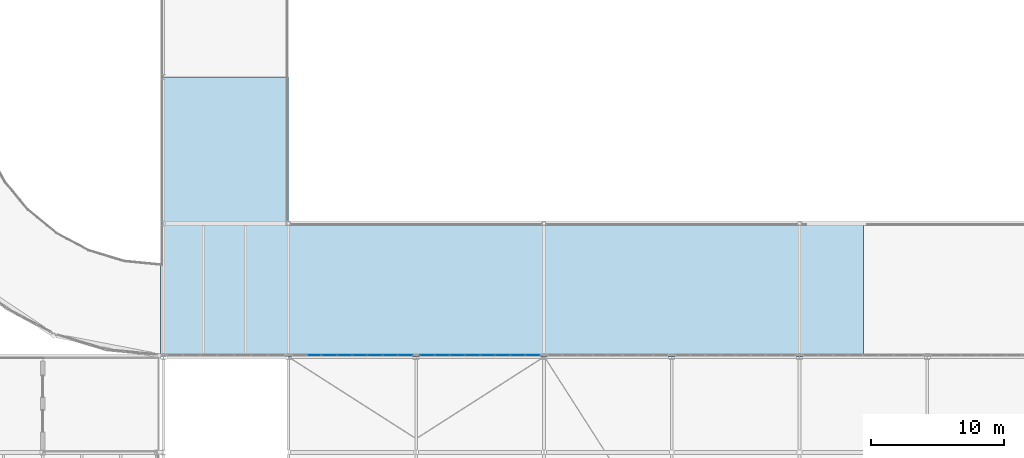
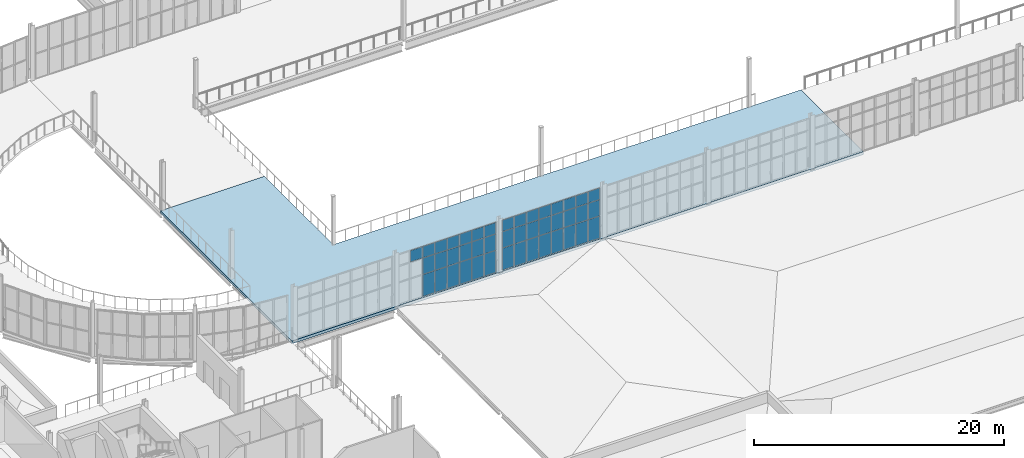
# One storey, part 75 of 112: 43 plates, 1 slab, 2 elements without a shape of their own.
"""IFC4 building model written with IfcOpenShell, lengths in metres."""

from ifc_helpers import new_model, si_unit, direction, frame, origin, origin_2d, place, context, subcontext, project, spatial, polyline, rectangle, outline, extrude, material, layer, layer_set, type_object, element, aggregate, save


model = new_model("IFC4")

# Units and contexts
model_context = context("Model", 3, precision=1e-05, world=origin(), true_north=direction((0.0, 1.0)))
body_context = subcontext(model_context, "Body", "Model", "MODEL_VIEW")
ifc_project = project(units=[si_unit("LENGTHUNIT", "METRE"), si_unit("AREAUNIT", "SQUARE_METRE"), si_unit("VOLUMEUNIT", "CUBIC_METRE"), si_unit("PLANEANGLEUNIT", "RADIAN"), si_unit("MASSUNIT", "GRAM", prefix="KILO")], contexts=[model_context])

# Site, building, storey
site_placement = place(None, origin())
site = spatial("IfcSite", under=ifc_project, at=site_placement, CompositionType="ELEMENT")
building_placement = place(site_placement, origin())
building = spatial("IfcBuilding", under=site, at=building_placement, Name="Yeouljin Market Hall", CompositionType="ELEMENT")
storey_placement = place(building_placement, frame((0.0, 0.0, 6.0)))
storey = spatial("IfcBuildingStorey", under=building, at=storey_placement, Name="L01", CompositionType="ELEMENT", Elevation=6.0)

# Curtain wall, plates
ifc_material_1 = material(Name="Thermally Broken Aluminium", Category="aluminium")
ifc_layer_1 = layer(ifc_material_1, 0.159912109375)
ifc_layer_set_1 = layer_set([ifc_layer_1], Name="Thermally Broken Aluminium")
curtain_wall_type = type_object("IfcCurtainWallType", Name="CW_HallClerestory_System", PredefinedType="USERDEFINED", material=ifc_layer_set_1)
curtain_wall_1_placement = place(storey_placement, origin())
curtain_wall_1 = element("IfcCurtainWall", 1, at=curtain_wall_1_placement, inside=storey, type_object=curtain_wall_type, Name="Curtain wall CW-V1S-L01-02", ObjectType="CURTAIN WALL", PredefinedType="USERDEFINED")
ifc_material_2 = material(Name="Low-E Insulated Glass", Category="glass")
ifc_layer_2 = layer(ifc_material_2, 0.028076171875)
ifc_layer_set_2 = layer_set([ifc_layer_2], Name="Low-E Insulated Glass")
plate_type = type_object("IfcPlateType", Name="CWPanel_LowE_28", PredefinedType="CURTAIN_PANEL", material=ifc_layer_set_2)
plate_1_placement = place(storey_placement, frame((53.769287109375, 36.10009765625, 0.048095703125), z_axis=(0.0, 0.0, 1.0), x_axis=(-1.0, 0.0, 0.0)))
plate_1 = element("IfcPlate", 2, at=plate_1_placement, type_object=plate_type, Name="CW-02 panel 1.1", PredefinedType="CURTAIN_PANEL", context=body_context, shape_type="SweptSolid", body=[
    extrude(rectangle(XDim=1.0654296875, YDim=0.028076171875, at=origin_2d()), origin(), (0.0, 0.0, 1.0), 2.1279296875),
])
plate_2_placement = place(storey_placement, frame((53.769287109375, 36.10009765625, 2.22412109375), z_axis=(0.0, 0.0, 1.0), x_axis=(-1.0, 0.0, 0.0)))
plate_2 = element("IfcPlate", 3, at=plate_2_placement, type_object=plate_type, Name="CW-02 panel 1.2", PredefinedType="CURTAIN_PANEL", context=body_context, shape_type="SweptSolid", body=[
    extrude(rectangle(XDim=1.0654296875, YDim=0.028076171875, at=origin_2d()), origin(), (0.0, 0.0, 1.0), 1.552001953125),
])
plate_3_placement = place(storey_placement, frame((53.769287109375, 36.10009765625, 3.82421875), z_axis=(0.0, 0.0, 1.0), x_axis=(-1.0, 0.0, 0.0)))
plate_3 = element("IfcPlate", 4, at=plate_3_placement, type_object=plate_type, Name="CW-02 panel 1.3", PredefinedType="CURTAIN_PANEL", context=body_context, shape_type="SweptSolid", body=[
    extrude(rectangle(XDim=1.0654296875, YDim=0.028076171875, at=origin_2d()), origin(), (0.0, 0.0, 1.0), 1.097900390625),
])
plate_4_placement = place(storey_placement, frame((52.643798828125, 36.10009765625, 0.048095703125), z_axis=(0.0, 0.0, 1.0), x_axis=(-1.0, 0.0, 0.0)))
plate_4 = element("IfcPlate", 5, at=plate_4_placement, type_object=plate_type, Name="CW-02 panel 2.1", PredefinedType="CURTAIN_PANEL", context=body_context, shape_type="SweptSolid", body=[
    extrude(rectangle(XDim=1.089599609375, YDim=0.028076171875, at=origin_2d()), origin(), (0.0, 0.0, 1.0), 2.1279296875),
])
plate_5_placement = place(storey_placement, frame((52.643798828125, 36.10009765625, 2.22412109375), z_axis=(0.0, 0.0, 1.0), x_axis=(-1.0, 0.0, 0.0)))
plate_5 = element("IfcPlate", 6, at=plate_5_placement, type_object=plate_type, Name="CW-02 panel 2.2", PredefinedType="CURTAIN_PANEL", context=body_context, shape_type="SweptSolid", body=[
    extrude(rectangle(XDim=1.089599609375, YDim=0.028076171875, at=origin_2d()), origin(), (0.0, 0.0, 1.0), 1.552001953125),
])
plate_6_placement = place(storey_placement, frame((52.643798828125, 36.10009765625, 3.82421875), z_axis=(0.0, 0.0, 1.0), x_axis=(-1.0, 0.0, 0.0)))
plate_6 = element("IfcPlate", 7, at=plate_6_placement, type_object=plate_type, Name="CW-02 panel 2.3", PredefinedType="CURTAIN_PANEL", context=body_context, shape_type="SweptSolid", body=[
    extrude(rectangle(XDim=1.089599609375, YDim=0.028076171875, at=origin_2d()), origin(), (0.0, 0.0, 1.0), 1.097900390625),
])
plate_7_placement = place(storey_placement, frame((51.50634765625, 36.10009765625, 0.048095703125), z_axis=(0.0, 0.0, 1.0), x_axis=(-1.0, 0.0, 0.0)))
plate_7 = element("IfcPlate", 8, at=plate_7_placement, type_object=plate_type, Name="CW-02 panel 3.1", PredefinedType="CURTAIN_PANEL", context=body_context, shape_type="SweptSolid", body=[
    extrude(rectangle(XDim=1.089599609375, YDim=0.028076171875, at=origin_2d()), origin(), (0.0, 0.0, 1.0), 2.1279296875),
])
plate_8_placement = place(storey_placement, frame((51.50634765625, 36.10009765625, 2.22412109375), z_axis=(0.0, 0.0, 1.0), x_axis=(-1.0, 0.0, 0.0)))
plate_8 = element("IfcPlate", 9, at=plate_8_placement, type_object=plate_type, Name="CW-02 panel 3.2", PredefinedType="CURTAIN_PANEL", context=body_context, shape_type="SweptSolid", body=[
    extrude(rectangle(XDim=1.089599609375, YDim=0.028076171875, at=origin_2d()), origin(), (0.0, 0.0, 1.0), 1.552001953125),
])
plate_9_placement = place(storey_placement, frame((51.50634765625, 36.10009765625, 3.82421875), z_axis=(0.0, 0.0, 1.0), x_axis=(-1.0, 0.0, 0.0)))
plate_9 = element("IfcPlate", 10, at=plate_9_placement, type_object=plate_type, Name="CW-02 panel 3.3", PredefinedType="CURTAIN_PANEL", context=body_context, shape_type="SweptSolid", body=[
    extrude(rectangle(XDim=1.089599609375, YDim=0.028076171875, at=origin_2d()), origin(), (0.0, 0.0, 1.0), 1.097900390625),
])
plate_10_placement = place(storey_placement, frame((50.36865234375, 36.10009765625, 0.048095703125), z_axis=(0.0, 0.0, 1.0), x_axis=(-1.0, 0.0, 0.0)))
plate_10 = element("IfcPlate", 11, at=plate_10_placement, type_object=plate_type, Name="CW-02 panel 4.1", PredefinedType="CURTAIN_PANEL", context=body_context, shape_type="SweptSolid", body=[
    extrude(rectangle(XDim=1.089599609375, YDim=0.028076171875, at=origin_2d()), origin(), (0.0, 0.0, 1.0), 2.1279296875),
])
plate_11_placement = place(storey_placement, frame((50.36865234375, 36.10009765625, 2.22412109375), z_axis=(0.0, 0.0, 1.0), x_axis=(-1.0, 0.0, 0.0)))
plate_11 = element("IfcPlate", 12, at=plate_11_placement, type_object=plate_type, Name="CW-02 panel 4.2", PredefinedType="CURTAIN_PANEL", context=body_context, shape_type="SweptSolid", body=[
    extrude(rectangle(XDim=1.089599609375, YDim=0.028076171875, at=origin_2d()), origin(), (0.0, 0.0, 1.0), 1.552001953125),
])
plate_12_placement = place(storey_placement, frame((50.36865234375, 36.10009765625, 3.82421875), z_axis=(0.0, 0.0, 1.0), x_axis=(-1.0, 0.0, 0.0)))
plate_12 = element("IfcPlate", 13, at=plate_12_placement, type_object=plate_type, Name="CW-02 panel 4.3", PredefinedType="CURTAIN_PANEL", context=body_context, shape_type="SweptSolid", body=[
    extrude(rectangle(XDim=1.089599609375, YDim=0.028076171875, at=origin_2d()), origin(), (0.0, 0.0, 1.0), 1.097900390625),
])
plate_13_placement = place(storey_placement, frame((49.231201171875, 36.10009765625, 0.048095703125), z_axis=(0.0, 0.0, 1.0), x_axis=(-1.0, 0.0, 0.0)))
plate_13 = element("IfcPlate", 14, at=plate_13_placement, type_object=plate_type, Name="CW-02 panel 5.1", PredefinedType="CURTAIN_PANEL", context=body_context, shape_type="SweptSolid", body=[
    extrude(rectangle(XDim=1.089599609375, YDim=0.028076171875, at=origin_2d()), origin(), (0.0, 0.0, 1.0), 2.1279296875),
])
plate_14_placement = place(storey_placement, frame((49.231201171875, 36.10009765625, 2.22412109375), z_axis=(0.0, 0.0, 1.0), x_axis=(-1.0, 0.0, 0.0)))
plate_14 = element("IfcPlate", 15, at=plate_14_placement, type_object=plate_type, Name="CW-02 panel 5.2", PredefinedType="CURTAIN_PANEL", context=body_context, shape_type="SweptSolid", body=[
    extrude(rectangle(XDim=1.089599609375, YDim=0.028076171875, at=origin_2d()), origin(), (0.0, 0.0, 1.0), 1.552001953125),
])
plate_15_placement = place(storey_placement, frame((49.231201171875, 36.10009765625, 3.82421875), z_axis=(0.0, 0.0, 1.0), x_axis=(-1.0, 0.0, 0.0)))
plate_15 = element("IfcPlate", 16, at=plate_15_placement, type_object=plate_type, Name="CW-02 panel 5.3", PredefinedType="CURTAIN_PANEL", context=body_context, shape_type="SweptSolid", body=[
    extrude(rectangle(XDim=1.089599609375, YDim=0.028076171875, at=origin_2d()), origin(), (0.0, 0.0, 1.0), 1.097900390625),
])
plate_16_placement = place(storey_placement, frame((48.09375, 36.10009765625, 0.048095703125), z_axis=(0.0, 0.0, 1.0), x_axis=(-1.0, 0.0, 0.0)))
plate_16 = element("IfcPlate", 17, at=plate_16_placement, type_object=plate_type, Name="CW-02 panel 6.1", PredefinedType="CURTAIN_PANEL", context=body_context, shape_type="SweptSolid", body=[
    extrude(rectangle(XDim=1.089599609375, YDim=0.028076171875, at=origin_2d()), origin(), (0.0, 0.0, 1.0), 2.1279296875),
])
plate_17_placement = place(storey_placement, frame((48.09375, 36.10009765625, 2.22412109375), z_axis=(0.0, 0.0, 1.0), x_axis=(-1.0, 0.0, 0.0)))
plate_17 = element("IfcPlate", 18, at=plate_17_placement, type_object=plate_type, Name="CW-02 panel 6.2", PredefinedType="CURTAIN_PANEL", context=body_context, shape_type="SweptSolid", body=[
    extrude(rectangle(XDim=1.089599609375, YDim=0.028076171875, at=origin_2d()), origin(), (0.0, 0.0, 1.0), 1.552001953125),
])
plate_18_placement = place(storey_placement, frame((48.09375, 36.10009765625, 3.82421875), z_axis=(0.0, 0.0, 1.0), x_axis=(-1.0, 0.0, 0.0)))
plate_18 = element("IfcPlate", 19, at=plate_18_placement, type_object=plate_type, Name="CW-02 panel 6.3", PredefinedType="CURTAIN_PANEL", context=body_context, shape_type="SweptSolid", body=[
    extrude(rectangle(XDim=1.089599609375, YDim=0.028076171875, at=origin_2d()), origin(), (0.0, 0.0, 1.0), 1.097900390625),
])
plate_19_placement = place(storey_placement, frame((46.956298828125, 36.10009765625, 3.82421875), z_axis=(0.0, 0.0, 1.0), x_axis=(-1.0, 0.0, 0.0)))
plate_19 = element("IfcPlate", 20, at=plate_19_placement, type_object=plate_type, Name="CW-02 panel 7.3", PredefinedType="CURTAIN_PANEL", context=body_context, shape_type="SweptSolid", body=[
    extrude(rectangle(XDim=1.089599609375, YDim=0.028076171875, at=origin_2d()), origin(), (0.0, 0.0, 1.0), 1.097900390625),
])
aggregate(curtain_wall_1, [plate_1, plate_2, plate_3, plate_4, plate_5, plate_6, plate_7, plate_8, plate_9, plate_10, plate_11, plate_12, plate_13, plate_14, plate_15, plate_16, plate_17, plate_18, plate_19])

curtain_wall_2_placement = place(storey_placement, origin())
curtain_wall_2 = element("IfcCurtainWall", 21, at=curtain_wall_2_placement, inside=storey, type_object=curtain_wall_type, Name="Curtain wall CW-V1S-L01-03", ObjectType="CURTAIN WALL", PredefinedType="USERDEFINED")
plate_20_placement = place(storey_placement, frame((63.369140625, 36.10009765625, 0.048095703125), z_axis=(0.0, 0.0, 1.0), x_axis=(-1.0, 0.0, 0.0)))
plate_20 = element("IfcPlate", 22, at=plate_20_placement, type_object=plate_type, Name="CW-02 panel 1.1", PredefinedType="CURTAIN_PANEL", context=body_context, shape_type="SweptSolid", body=[
    extrude(rectangle(XDim=1.0654296875, YDim=0.028076171875, at=origin_2d()), origin(), (0.0, 0.0, 1.0), 2.1279296875),
])
plate_21_placement = place(storey_placement, frame((63.369140625, 36.10009765625, 2.22412109375), z_axis=(0.0, 0.0, 1.0), x_axis=(-1.0, 0.0, 0.0)))
plate_21 = element("IfcPlate", 23, at=plate_21_placement, type_object=plate_type, Name="CW-02 panel 1.2", PredefinedType="CURTAIN_PANEL", context=body_context, shape_type="SweptSolid", body=[
    extrude(rectangle(XDim=1.0654296875, YDim=0.028076171875, at=origin_2d()), origin(), (0.0, 0.0, 1.0), 1.552001953125),
])
plate_22_placement = place(storey_placement, frame((63.369140625, 36.10009765625, 3.82421875), z_axis=(0.0, 0.0, 1.0), x_axis=(-1.0, 0.0, 0.0)))
plate_22 = element("IfcPlate", 24, at=plate_22_placement, type_object=plate_type, Name="CW-02 panel 1.3", PredefinedType="CURTAIN_PANEL", context=body_context, shape_type="SweptSolid", body=[
    extrude(rectangle(XDim=1.0654296875, YDim=0.028076171875, at=origin_2d()), origin(), (0.0, 0.0, 1.0), 1.097900390625),
])
plate_23_placement = place(storey_placement, frame((62.24365234375, 36.10009765625, 0.048095703125), z_axis=(0.0, 0.0, 1.0), x_axis=(-1.0, 0.0, 0.0)))
plate_23 = element("IfcPlate", 25, at=plate_23_placement, type_object=plate_type, Name="CW-02 panel 2.1", PredefinedType="CURTAIN_PANEL", context=body_context, shape_type="SweptSolid", body=[
    extrude(rectangle(XDim=1.089599609375, YDim=0.028076171875, at=origin_2d()), origin(), (0.0, 0.0, 1.0), 2.1279296875),
])
plate_24_placement = place(storey_placement, frame((62.24365234375, 36.10009765625, 2.22412109375), z_axis=(0.0, 0.0, 1.0), x_axis=(-1.0, 0.0, 0.0)))
plate_24 = element("IfcPlate", 26, at=plate_24_placement, type_object=plate_type, Name="CW-02 panel 2.2", PredefinedType="CURTAIN_PANEL", context=body_context, shape_type="SweptSolid", body=[
    extrude(rectangle(XDim=1.089599609375, YDim=0.028076171875, at=origin_2d()), origin(), (0.0, 0.0, 1.0), 1.552001953125),
])
plate_25_placement = place(storey_placement, frame((62.24365234375, 36.10009765625, 3.82421875), z_axis=(0.0, 0.0, 1.0), x_axis=(-1.0, 0.0, 0.0)))
plate_25 = element("IfcPlate", 27, at=plate_25_placement, type_object=plate_type, Name="CW-02 panel 2.3", PredefinedType="CURTAIN_PANEL", context=body_context, shape_type="SweptSolid", body=[
    extrude(rectangle(XDim=1.089599609375, YDim=0.028076171875, at=origin_2d()), origin(), (0.0, 0.0, 1.0), 1.097900390625),
])
plate_26_placement = place(storey_placement, frame((61.106201171875, 36.10009765625, 0.048095703125), z_axis=(0.0, 0.0, 1.0), x_axis=(-1.0, 0.0, 0.0)))
plate_26 = element("IfcPlate", 28, at=plate_26_placement, type_object=plate_type, Name="CW-02 panel 3.1", PredefinedType="CURTAIN_PANEL", context=body_context, shape_type="SweptSolid", body=[
    extrude(rectangle(XDim=1.089599609375, YDim=0.028076171875, at=origin_2d()), origin(), (0.0, 0.0, 1.0), 2.1279296875),
])
plate_27_placement = place(storey_placement, frame((61.106201171875, 36.10009765625, 2.22412109375), z_axis=(0.0, 0.0, 1.0), x_axis=(-1.0, 0.0, 0.0)))
plate_27 = element("IfcPlate", 29, at=plate_27_placement, type_object=plate_type, Name="CW-02 panel 3.2", PredefinedType="CURTAIN_PANEL", context=body_context, shape_type="SweptSolid", body=[
    extrude(rectangle(XDim=1.089599609375, YDim=0.028076171875, at=origin_2d()), origin(), (0.0, 0.0, 1.0), 1.552001953125),
])
plate_28_placement = place(storey_placement, frame((61.106201171875, 36.10009765625, 3.82421875), z_axis=(0.0, 0.0, 1.0), x_axis=(-1.0, 0.0, 0.0)))
plate_28 = element("IfcPlate", 30, at=plate_28_placement, type_object=plate_type, Name="CW-02 panel 3.3", PredefinedType="CURTAIN_PANEL", context=body_context, shape_type="SweptSolid", body=[
    extrude(rectangle(XDim=1.089599609375, YDim=0.028076171875, at=origin_2d()), origin(), (0.0, 0.0, 1.0), 1.097900390625),
])
plate_29_placement = place(storey_placement, frame((59.96875, 36.10009765625, 0.048095703125), z_axis=(0.0, 0.0, 1.0), x_axis=(-1.0, 0.0, 0.0)))
plate_29 = element("IfcPlate", 31, at=plate_29_placement, type_object=plate_type, Name="CW-02 panel 4.1", PredefinedType="CURTAIN_PANEL", context=body_context, shape_type="SweptSolid", body=[
    extrude(rectangle(XDim=1.089599609375, YDim=0.028076171875, at=origin_2d()), origin(), (0.0, 0.0, 1.0), 2.1279296875),
])
plate_30_placement = place(storey_placement, frame((59.96875, 36.10009765625, 2.22412109375), z_axis=(0.0, 0.0, 1.0), x_axis=(-1.0, 0.0, 0.0)))
plate_30 = element("IfcPlate", 32, at=plate_30_placement, type_object=plate_type, Name="CW-02 panel 4.2", PredefinedType="CURTAIN_PANEL", context=body_context, shape_type="SweptSolid", body=[
    extrude(rectangle(XDim=1.089599609375, YDim=0.028076171875, at=origin_2d()), origin(), (0.0, 0.0, 1.0), 1.552001953125),
])
plate_31_placement = place(storey_placement, frame((59.96875, 36.10009765625, 3.82421875), z_axis=(0.0, 0.0, 1.0), x_axis=(-1.0, 0.0, 0.0)))
plate_31 = element("IfcPlate", 33, at=plate_31_placement, type_object=plate_type, Name="CW-02 panel 4.3", PredefinedType="CURTAIN_PANEL", context=body_context, shape_type="SweptSolid", body=[
    extrude(rectangle(XDim=1.089599609375, YDim=0.028076171875, at=origin_2d()), origin(), (0.0, 0.0, 1.0), 1.097900390625),
])
plate_32_placement = place(storey_placement, frame((58.831298828125, 36.10009765625, 0.048095703125), z_axis=(0.0, 0.0, 1.0), x_axis=(-1.0, 0.0, 0.0)))
plate_32 = element("IfcPlate", 34, at=plate_32_placement, type_object=plate_type, Name="CW-02 panel 5.1", PredefinedType="CURTAIN_PANEL", context=body_context, shape_type="SweptSolid", body=[
    extrude(rectangle(XDim=1.089599609375, YDim=0.028076171875, at=origin_2d()), origin(), (0.0, 0.0, 1.0), 2.1279296875),
])
plate_33_placement = place(storey_placement, frame((58.831298828125, 36.10009765625, 2.22412109375), z_axis=(0.0, 0.0, 1.0), x_axis=(-1.0, 0.0, 0.0)))
plate_33 = element("IfcPlate", 35, at=plate_33_placement, type_object=plate_type, Name="CW-02 panel 5.2", PredefinedType="CURTAIN_PANEL", context=body_context, shape_type="SweptSolid", body=[
    extrude(rectangle(XDim=1.089599609375, YDim=0.028076171875, at=origin_2d()), origin(), (0.0, 0.0, 1.0), 1.552001953125),
])
plate_34_placement = place(storey_placement, frame((58.831298828125, 36.10009765625, 3.82421875), z_axis=(0.0, 0.0, 1.0), x_axis=(-1.0, 0.0, 0.0)))
plate_34 = element("IfcPlate", 36, at=plate_34_placement, type_object=plate_type, Name="CW-02 panel 5.3", PredefinedType="CURTAIN_PANEL", context=body_context, shape_type="SweptSolid", body=[
    extrude(rectangle(XDim=1.089599609375, YDim=0.028076171875, at=origin_2d()), origin(), (0.0, 0.0, 1.0), 1.097900390625),
])
plate_35_placement = place(storey_placement, frame((57.69384765625, 36.10009765625, 0.048095703125), z_axis=(0.0, 0.0, 1.0), x_axis=(-1.0, 0.0, 0.0)))
plate_35 = element("IfcPlate", 37, at=plate_35_placement, type_object=plate_type, Name="CW-02 panel 6.1", PredefinedType="CURTAIN_PANEL", context=body_context, shape_type="SweptSolid", body=[
    extrude(rectangle(XDim=1.089599609375, YDim=0.028076171875, at=origin_2d()), origin(), (0.0, 0.0, 1.0), 2.1279296875),
])
plate_36_placement = place(storey_placement, frame((57.69384765625, 36.10009765625, 2.22412109375), z_axis=(0.0, 0.0, 1.0), x_axis=(-1.0, 0.0, 0.0)))
plate_36 = element("IfcPlate", 38, at=plate_36_placement, type_object=plate_type, Name="CW-02 panel 6.2", PredefinedType="CURTAIN_PANEL", context=body_context, shape_type="SweptSolid", body=[
    extrude(rectangle(XDim=1.089599609375, YDim=0.028076171875, at=origin_2d()), origin(), (0.0, 0.0, 1.0), 1.552001953125),
])
plate_37_placement = place(storey_placement, frame((57.69384765625, 36.10009765625, 3.82421875), z_axis=(0.0, 0.0, 1.0), x_axis=(-1.0, 0.0, 0.0)))
plate_37 = element("IfcPlate", 39, at=plate_37_placement, type_object=plate_type, Name="CW-02 panel 6.3", PredefinedType="CURTAIN_PANEL", context=body_context, shape_type="SweptSolid", body=[
    extrude(rectangle(XDim=1.089599609375, YDim=0.028076171875, at=origin_2d()), origin(), (0.0, 0.0, 1.0), 1.097900390625),
])
plate_38_placement = place(storey_placement, frame((56.55615234375, 36.10009765625, 0.048095703125), z_axis=(0.0, 0.0, 1.0), x_axis=(-1.0, 0.0, 0.0)))
plate_38 = element("IfcPlate", 40, at=plate_38_placement, type_object=plate_type, Name="CW-02 panel 7.1", PredefinedType="CURTAIN_PANEL", context=body_context, shape_type="SweptSolid", body=[
    extrude(rectangle(XDim=1.089599609375, YDim=0.028076171875, at=origin_2d()), origin(), (0.0, 0.0, 1.0), 2.1279296875),
])
plate_39_placement = place(storey_placement, frame((56.55615234375, 36.10009765625, 2.22412109375), z_axis=(0.0, 0.0, 1.0), x_axis=(-1.0, 0.0, 0.0)))
plate_39 = element("IfcPlate", 41, at=plate_39_placement, type_object=plate_type, Name="CW-02 panel 7.2", PredefinedType="CURTAIN_PANEL", context=body_context, shape_type="SweptSolid", body=[
    extrude(rectangle(XDim=1.089599609375, YDim=0.028076171875, at=origin_2d()), origin(), (0.0, 0.0, 1.0), 1.552001953125),
])
plate_40_placement = place(storey_placement, frame((56.55615234375, 36.10009765625, 3.82421875), z_axis=(0.0, 0.0, 1.0), x_axis=(-1.0, 0.0, 0.0)))
plate_40 = element("IfcPlate", 42, at=plate_40_placement, type_object=plate_type, Name="CW-02 panel 7.3", PredefinedType="CURTAIN_PANEL", context=body_context, shape_type="SweptSolid", body=[
    extrude(rectangle(XDim=1.089599609375, YDim=0.028076171875, at=origin_2d()), origin(), (0.0, 0.0, 1.0), 1.097900390625),
])
plate_41_placement = place(storey_placement, frame((55.4306640625, 36.10009765625, 0.048095703125), z_axis=(0.0, 0.0, 1.0), x_axis=(-1.0, 0.0, 0.0)))
plate_41 = element("IfcPlate", 43, at=plate_41_placement, type_object=plate_type, Name="CW-02 panel 8.1", PredefinedType="CURTAIN_PANEL", context=body_context, shape_type="SweptSolid", body=[
    extrude(rectangle(XDim=1.0654296875, YDim=0.028076171875, at=origin_2d()), origin(), (0.0, 0.0, 1.0), 2.1279296875),
])
plate_42_placement = place(storey_placement, frame((55.4306640625, 36.10009765625, 2.22412109375), z_axis=(0.0, 0.0, 1.0), x_axis=(-1.0, 0.0, 0.0)))
plate_42 = element("IfcPlate", 44, at=plate_42_placement, type_object=plate_type, Name="CW-02 panel 8.2", PredefinedType="CURTAIN_PANEL", context=body_context, shape_type="SweptSolid", body=[
    extrude(rectangle(XDim=1.0654296875, YDim=0.028076171875, at=origin_2d()), origin(), (0.0, 0.0, 1.0), 1.552001953125),
])
plate_43_placement = place(storey_placement, frame((55.4306640625, 36.10009765625, 3.82421875), z_axis=(0.0, 0.0, 1.0), x_axis=(-1.0, 0.0, 0.0)))
plate_43 = element("IfcPlate", 45, at=plate_43_placement, type_object=plate_type, Name="CW-02 panel 8.3", PredefinedType="CURTAIN_PANEL", context=body_context, shape_type="SweptSolid", body=[
    extrude(rectangle(XDim=1.0654296875, YDim=0.028076171875, at=origin_2d()), origin(), (0.0, 0.0, 1.0), 1.097900390625),
])
aggregate(curtain_wall_2, [plate_20, plate_21, plate_22, plate_23, plate_24, plate_25, plate_26, plate_27, plate_28, plate_29, plate_30, plate_31, plate_32, plate_33, plate_34, plate_35, plate_36, plate_37, plate_38, plate_39, plate_40, plate_41, plate_42, plate_43])

# Slab
ifc_material_3 = material(Name="Concrete C30/37", Category="concrete")
ifc_layer_3 = layer(ifc_material_3, 0.27001953125)
ifc_layer_set_3 = layer_set([ifc_layer_3], Name="Concrete C30/37")
slab_type = type_object("IfcSlabType", Name="SLB_MEZZ_240", PredefinedType="FLOOR", material=ifc_layer_set_3)
slab_placement = place(storey_placement, frame((0.0, 0.0, -0.27001953125)))
element("IfcSlab", 46, at=slab_placement, inside=storey, type_object=slab_type, Name="Structural slab SLB-L01-HMSW", PredefinedType="FLOOR", context=body_context, shape_type="SweptSolid", body=[
    extrude(outline(polyline([(35.39990234375, 36.0), (88.199951171875, 36.0), (88.199951171875, 46.0), (45.0, 46.0), (45.0, 57.0), (35.39990234375, 57.0), (35.39990234375, 36.0)])), origin(), (0.0, 0.0, 1.0), 0.27001953125),
])

save(model, "model.ifc")
